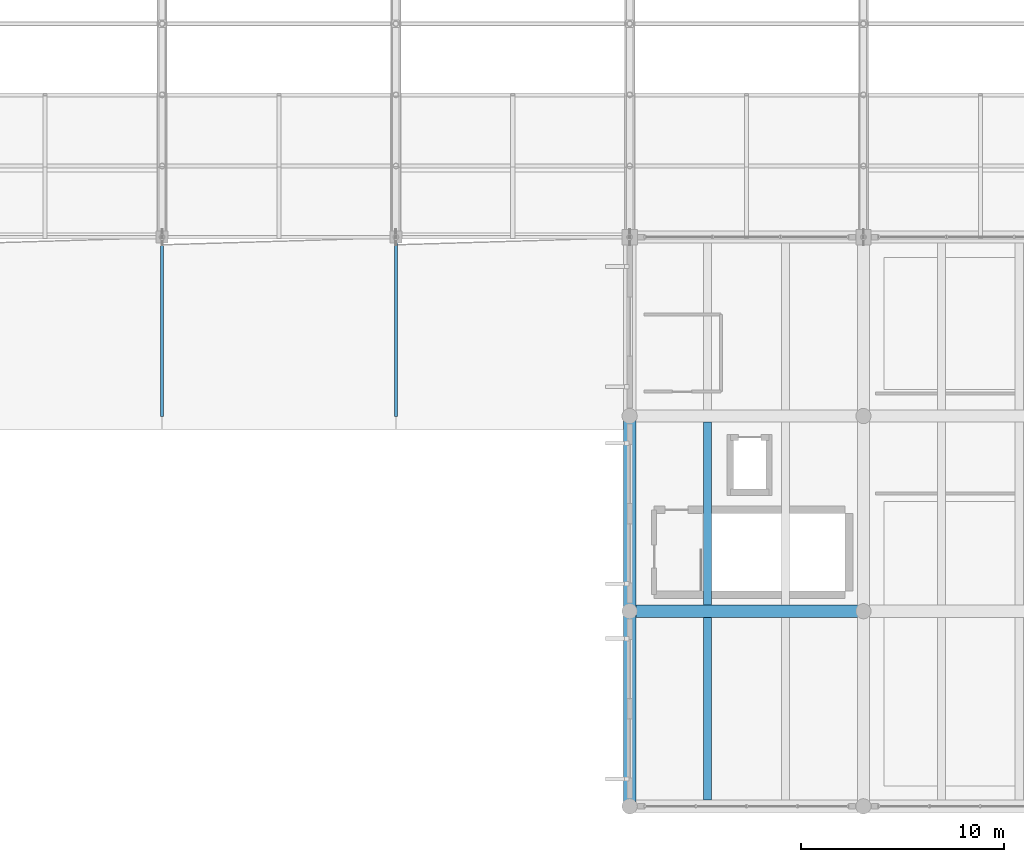
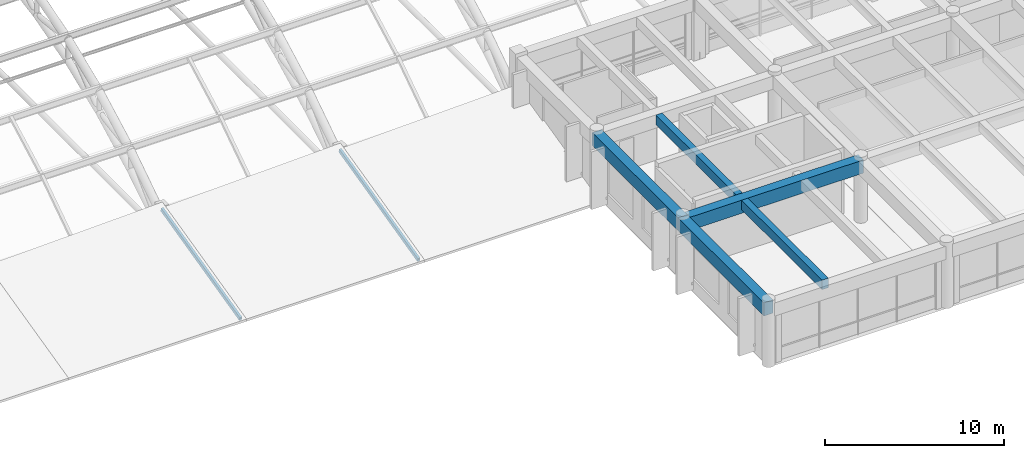
# One storey, part 7 of 154: 5 beams, 2 members.
"""IFC4 building model written with IfcOpenShell, lengths in metres."""

from ifc_helpers import new_model, si_unit, direction, frame, origin, origin_2d, place, context, subcontext, project, spatial, rectangle, hollow_rectangle, extrude, material, material_profile, profile_set, type_object, element, save


model = new_model("IFC4")

# Units and contexts
model_context = context("Model", 3, precision=1e-05, world=origin(), true_north=direction((0.0, 1.0)))
body_context = subcontext(model_context, "Body", "Model", "MODEL_VIEW")
ifc_project = project(units=[si_unit("LENGTHUNIT", "METRE"), si_unit("AREAUNIT", "SQUARE_METRE"), si_unit("VOLUMEUNIT", "CUBIC_METRE"), si_unit("PLANEANGLEUNIT", "RADIAN"), si_unit("MASSUNIT", "GRAM", prefix="KILO")], contexts=[model_context])

# Site, building, storey
site_placement = place(None, origin())
site = spatial("IfcSite", under=ifc_project, at=site_placement, CompositionType="ELEMENT")
building_placement = place(site_placement, origin())
building = spatial("IfcBuilding", under=site, at=building_placement, Name="Ologun Quay Terminus", CompositionType="ELEMENT")
storey_placement = place(building_placement, frame((0.0, 0.0, 13.800048828125)))
storey = spatial("IfcBuildingStorey", under=building, at=storey_placement, Name="L03", CompositionType="ELEMENT", Elevation=13.800048828125)

# Members
ifc_material_1 = material(Name="Steel S355", Category="steel")
ifc_material_profile_1 = material_profile(ifc_material_1, hollow_rectangle(XDim=0.14990234375, YDim=0.25, WallThickness=0.008056640625, at=origin_2d()), Name="RHS 250x150x8")
ifc_profile_set_1 = profile_set([ifc_material_profile_1], Name="Steel S355")
member_type = type_object("IfcMemberType", Name="Skylight Longitudinal Glazing Bar RHS200", PredefinedType="PURLIN", material=ifc_profile_set_1)
for number, where, z_axis, x_axis, name in (
    (1, (34.5, 27.199951171875, -0.5224609375), (0.0, 0.971430080393, 0.237325933914), (-1.0, 0.0, 0.0), "SK1 Inclined Roof Rafter L03-SWL-4-DE"),
    (2, (46.0, 27.199951171875, -0.5224609375), (0.0, 0.971430080393, 0.237325933914), (-1.0, 0.0, 0.0), "SK1 Inclined Roof Rafter L03-SWL-5-DE"),
):
    element("IfcMember", number, at=place(storey_placement, frame(where, z_axis=z_axis, x_axis=x_axis)), inside=storey, type_object=member_type, Name=name, PredefinedType="PURLIN", context=body_context, shape_type="SweptSolid", body=[
        extrude(hollow_rectangle(XDim=0.14990234375, YDim=0.25, WallThickness=0.008056640625, at=origin_2d()), origin(), (0.0, 0.0, 1.0), 9.058837890625),
    ])

# Beams
ifc_material_2 = material(Name="Concrete C40/50", Category="concrete")
ifc_material_profile_2 = material_profile(ifc_material_2, rectangle(XDim=0.60009765625, YDim=0.89990234375, at=origin_2d()), Name="RC 600x900")
ifc_profile_set_2 = profile_set([ifc_material_profile_2], Name="Concrete C40/50")
beam_type_1 = type_object("IfcBeamType", Name="Station Frame Girder 600x900", PredefinedType="BEAM", material=ifc_profile_set_2)
beam_1_placement = place(storey_placement, frame((57.5, 17.60009765625, 3.800048828125), z_axis=(1.0, 0.0, 0.0), x_axis=(0.0, 1.0, 0.0)))
element("IfcBeam", 3, at=beam_1_placement, inside=storey, type_object=beam_type_1, Name="B3 Beam 6/C L03", PredefinedType="BEAM", context=body_context, shape_type="SweptSolid", body=[
    extrude(rectangle(XDim=0.60009765625, YDim=0.89990234375, at=origin_2d()), origin(), (0.0, 0.0, 1.0), 11.5),
])
beam_2_placement = place(storey_placement, frame((57.5, 8.0, 3.800048828125), z_axis=(0.0, 1.0, 0.0), x_axis=(-1.0, 0.0, 0.0)))
element("IfcBeam", 4, at=beam_2_placement, inside=storey, type_object=beam_type_1, Name="B3 Beam 6/B L03", PredefinedType="BEAM", context=body_context, shape_type="SweptSolid", body=[
    extrude(rectangle(XDim=0.60009765625, YDim=0.89990234375, at=origin_2d()), origin(), (0.0, 0.0, 1.0), 9.60009765625),
])
beam_3_placement = place(storey_placement, frame((57.5, 17.60009765625, 3.800048828125), z_axis=(0.0, 1.0, 0.0), x_axis=(-1.0, 0.0, 0.0)))
element("IfcBeam", 5, at=beam_3_placement, inside=storey, type_object=beam_type_1, Name="B3 Beam 6/C L03", PredefinedType="BEAM", context=body_context, shape_type="SweptSolid", body=[
    extrude(rectangle(XDim=0.60009765625, YDim=0.89990234375, at=origin_2d()), origin(), (0.0, 0.0, 1.0), 9.599853515625),
])
ifc_material_3 = material(Name="Concrete C40/50", Category="concrete")
ifc_material_profile_3 = material_profile(ifc_material_3, rectangle(XDim=0.39990234375, YDim=0.64990234375, at=origin_2d()), Name="RC 400x650")
ifc_profile_set_3 = profile_set([ifc_material_profile_3], Name="Concrete C40/50")
beam_type_2 = type_object("IfcBeamType", Name="Station Secondary Joist 400x650", PredefinedType="JOIST", material=ifc_profile_set_3)
for number, where, z_axis, x_axis, name in (
    (6, (61.333251953125, 8.300048828125, 3.925048828125), (0.0, 1.0, 0.0), (-1.0, 0.0, 0.0), "J1 Beam 6/B L03"),
    (7, (61.333251953125, 17.89990234375, 3.925048828125), (0.0, 1.0, 0.0), (-1.0, 0.0, 0.0), "J1 Beam 6/C L03"),
):
    element("IfcBeam", number, at=place(storey_placement, frame(where, z_axis=z_axis, x_axis=x_axis)), inside=storey, type_object=beam_type_2, Name=name, PredefinedType="JOIST", context=body_context, shape_type="SweptSolid", body=[
        extrude(rectangle(XDim=0.39990234375, YDim=0.64990234375, at=origin_2d()), origin(), (0.0, 0.0, 1.0), 9.0),
    ])

save(model, "model.ifc")
